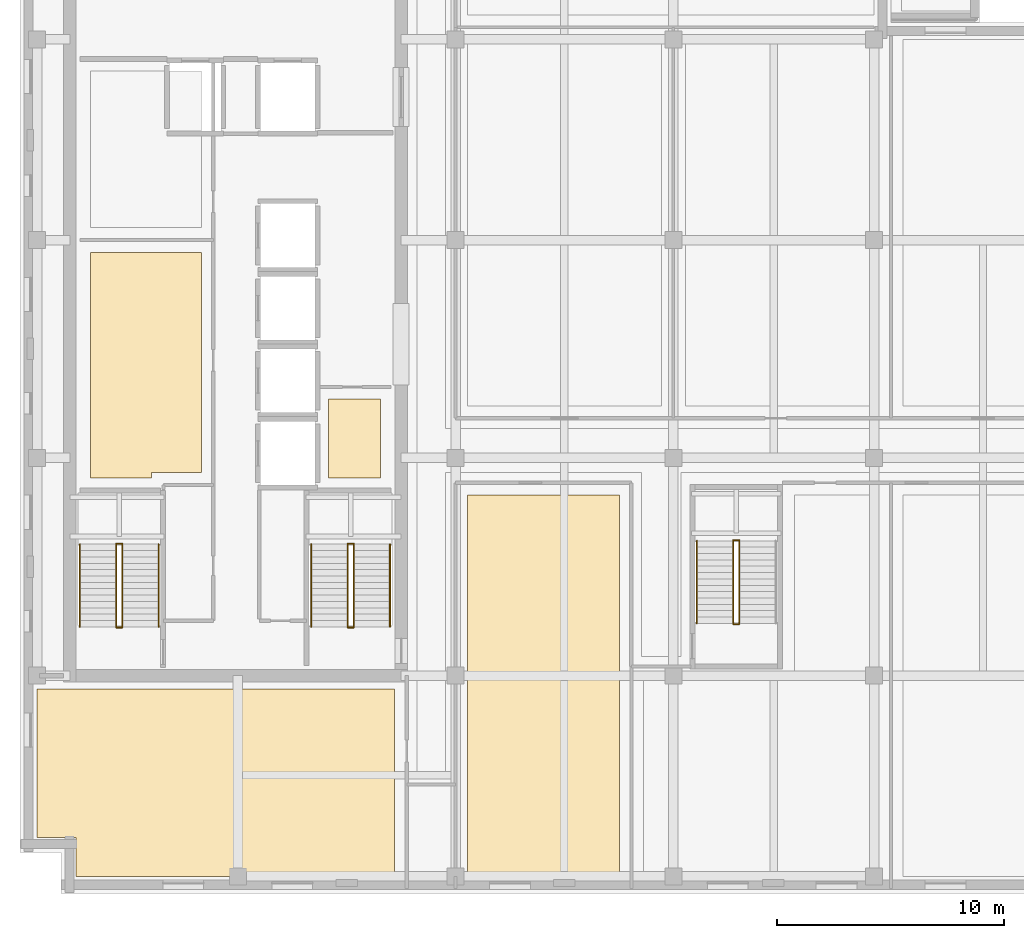
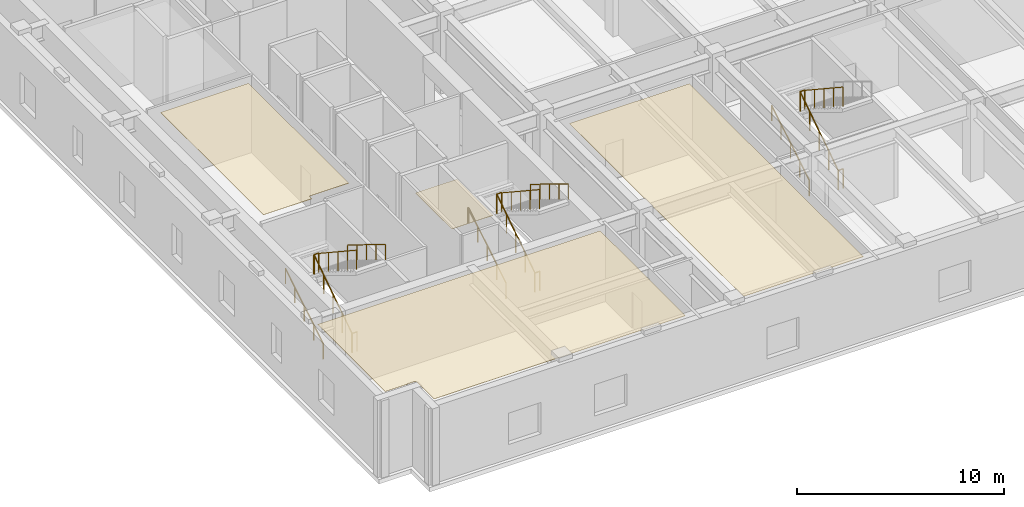
# One storey, part 7 of 11: 17 railings, 4 coverings.
"""IFC4 building model written with IfcOpenShell, lengths in metres."""

from ifc_helpers import new_model, si_unit, direction, frame, origin, origin_2d, place, context, subcontext, project, spatial, polyline, circle, outline, extrude, material, layer, layer_set, type_object, element, save


model = new_model("IFC4")

# Units and contexts
model_context = context("Model", 3, precision=1e-05, world=origin(), true_north=direction((0.0, 1.0)))
body_context = subcontext(model_context, "Body", "Model", "MODEL_VIEW")
ifc_project = project(units=[si_unit("LENGTHUNIT", "METRE"), si_unit("AREAUNIT", "SQUARE_METRE"), si_unit("VOLUMEUNIT", "CUBIC_METRE"), si_unit("PLANEANGLEUNIT", "RADIAN"), si_unit("MASSUNIT", "GRAM", prefix="KILO")], contexts=[model_context])

# Site, building, storey
site_placement = place(None, origin())
site = spatial("IfcSite", under=ifc_project, at=site_placement, CompositionType="ELEMENT")
building_placement = place(site_placement, origin())
building = spatial("IfcBuilding", under=site, at=building_placement, Name="Norrvale University Quadrangle", CompositionType="ELEMENT")
storey_placement = place(building_placement, frame((0.0, 0.0, 261.0)))
storey = spatial("IfcBuildingStorey", under=building, at=storey_placement, Name="L66", CompositionType="ELEMENT", Elevation=261.0)

# Coverings
ifc_material_1 = material(Name="Perforated Acoustic Mineral Ceiling")
ifc_layer_1 = layer(ifc_material_1, 0.02490234375, Name="Perforated Acoustic Mineral Ceiling")
ifc_layer_set_1 = layer_set([ifc_layer_1], Name="Perforated Acoustic Mineral Ceiling")
covering_type_1 = type_object("IfcCoveringType", Name="Covering Acoustic Ceiling 25", PredefinedType="CEILING", material=ifc_layer_set_1)
covering_1_placement = place(storey_placement, frame((0.0, 0.0, 4.514892578125)))
element("IfcCovering", 1, at=covering_1_placement, inside=storey, type_object=covering_type_1, Name="Acoustic Ceiling RM-L66-REC2", PredefinedType="CEILING", context=body_context, shape_type="SweptSolid", body=[
    extrude(outline(polyline([(3.10009765625, 18.300048828125), (3.10009765625, 28.25), (8.0, 28.25), (8.0, 18.550048828125), (5.800048828125, 18.550048828125), (5.800048828125, 18.300048828125), (3.10009765625, 18.300048828125)])), origin(), (0.0, 0.0, 1.0), 0.025146484375),
])
covering_2_placement = place(storey_placement, frame((0.0, 0.0, 4.514892578125)))
element("IfcCovering", 2, at=covering_2_placement, inside=storey, type_object=covering_type_1, Name="Acoustic Ceiling RM-L66-SW1", PredefinedType="CEILING", context=body_context, shape_type="SweptSolid", body=[
    extrude(outline(polyline([(0.75, 9.0), (16.5, 9.0), (16.5, 0.75), (2.469970703125, 0.75), (2.469970703125, 2.469970703125), (0.75, 2.469970703125), (0.75, 9.0)])), origin(), (0.0, 0.0, 1.0), 0.025146484375),
])
covering_3_placement = place(storey_placement, frame((0.0, 0.0, 4.514892578125)))
element("IfcCovering", 3, at=covering_3_placement, inside=storey, type_object=covering_type_1, Name="Acoustic Ceiling RM-L66-SE1", PredefinedType="CEILING", context=body_context, shape_type="SweptSolid", body=[
    extrude(outline(polyline([(19.72998046875, 17.570068359375), (26.419921875, 17.570068359375), (26.419921875, 0.75), (19.72998046875, 0.75), (19.72998046875, 17.570068359375)])), origin(), (0.0, 0.0, 1.0), 0.025146484375),
])
ifc_material_2 = material(Name="Polished Terrazzo Flooring")
ifc_layer_2 = layer(ifc_material_2, 0.02490234375, Name="Polished Terrazzo Flooring")
ifc_layer_set_2 = layer_set([ifc_layer_2], Name="Polished Terrazzo Flooring")
covering_type_2 = type_object("IfcCoveringType", Name="Covering Terrazzo Floor 30", PredefinedType="FLOORING", material=ifc_layer_set_2)
covering_4_placement = place(storey_placement, origin())
element("IfcCovering", 4, at=covering_4_placement, inside=storey, type_object=covering_type_2, Name="Terrazzo Flooring RM-L66-JAN", PredefinedType="FLOORING", context=body_context, shape_type="SweptSolid", body=[
    extrude(outline(polyline([(13.60009765625, 18.300048828125), (13.60009765625, 21.800048828125), (15.89990234375, 21.800048828125), (15.89990234375, 18.300048828125), (13.60009765625, 18.300048828125)])), origin(), (0.0, 0.0, 1.0), 0.02490234375),
])

# Railings
ifc_material_3 = material(Name="Steel 350W Painted Balustrade", Category="steel")
railing_type_1 = type_object("IfcRailingType", Name="Railing Stair Guard 1100", PredefinedType="GUARDRAIL", material=ifc_material_3)
for number, where, name in (
    (5, (4.239990234375, 11.719970703125, 0.0), "Stair Floor Well Guard ST-01 L66"),
    (6, (4.239990234375, 15.419921875, 2.39990234375), "Stair Mid-Landing Slot Guard ST-01 L66"),
):
    element("IfcRailing", number, at=place(storey_placement, frame(where)), inside=storey, type_object=railing_type_1, Name=name, PredefinedType="GUARDRAIL", context=body_context, shape_type="SweptSolid", body=[
        extrude(circle(Radius=0.02392578125, at=origin_2d()), frame((0.0, 0.0, 1.1259765625), z_axis=(1.0, 0.0, 0.0), x_axis=(0.0, 1.0, 0.0)), (0.0, 0.0, 1.0), 0.27001953125),
        extrude(circle(Radius=0.02099609375, at=origin_2d()), origin(), (0.0, 0.0, 1.0), 1.101806640625),
        extrude(circle(Radius=0.02099609375, at=origin_2d()), frame((0.27001953125, 0.0, 0.0)), (0.0, 0.0, 1.0), 1.101806640625),
    ])
railing_1_placement = place(storey_placement, frame((4.239990234375, 11.75, 0.0)))
element("IfcRailing", 7, at=railing_1_placement, inside=storey, type_object=railing_type_1, Name="Stair Lower Flight Inner Guard ST-01 L66", PredefinedType="GUARDRAIL", context=body_context, shape_type="SweptSolid", body=[
    extrude(circle(Radius=0.02392578125, at=origin_2d()), frame((0.0, 0.0, 1.1259765625), z_axis=(0.0, 0.834865213223, 0.550454426587), x_axis=(-1.0, 0.0, 0.0)), (0.0, 0.0, 1.0), 4.35986328125),
    extrude(circle(Radius=0.02099609375, at=origin_2d()), origin(), (0.0, 0.0, 1.0), 1.101806640625),
    extrude(circle(Radius=0.02099609375, at=origin_2d()), frame((0.0, 0.909912109375, 0.60009765625)), (0.0, 0.0, 1.0), 1.101806640625),
    extrude(circle(Radius=0.02099609375, at=origin_2d()), frame((0.0, 1.81982421875, 1.199951171875)), (0.0, 0.0, 1.0), 1.101806640625),
    extrude(circle(Radius=0.02099609375, at=origin_2d()), frame((0.0, 2.72998046875, 1.7998046875)), (0.0, 0.0, 1.0), 1.101806640625),
    extrude(circle(Radius=0.02099609375, at=origin_2d()), frame((0.0, 3.639892578125, 2.39990234375)), (0.0, 0.0, 1.0), 1.101806640625),
])
railing_2_placement = place(storey_placement, frame((4.510009765625, 15.389892578125, 2.39990234375)))
element("IfcRailing", 8, at=railing_2_placement, inside=storey, type_object=railing_type_1, Name="Stair Upper Flight Inner Guard ST-01 L66", PredefinedType="GUARDRAIL", context=body_context, shape_type="SweptSolid", body=[
    extrude(circle(Radius=0.02392578125, at=origin_2d()), frame((0.0, 0.0, 1.1259765625), z_axis=(0.0, -0.834839479206, 0.550493454965), x_axis=(1.0, 0.0, 0.0)), (0.0, 0.0, 1.0), 4.360107421875),
    extrude(circle(Radius=0.02099609375, at=origin_2d()), origin(), (0.0, 0.0, 1.0), 1.101806640625),
    extrude(circle(Radius=0.02099609375, at=origin_2d()), frame((0.0, -0.909912109375, 0.60009765625)), (0.0, 0.0, 1.0), 1.101806640625),
    extrude(circle(Radius=0.02099609375, at=origin_2d()), frame((0.0, -1.81982421875, 1.2001953125)), (0.0, 0.0, 1.0), 1.101806640625),
    extrude(circle(Radius=0.02099609375, at=origin_2d()), frame((0.0, -2.72998046875, 1.800048828125)), (0.0, 0.0, 1.0), 1.101806640625),
    extrude(circle(Radius=0.02099609375, at=origin_2d()), frame((0.0, -3.639892578125, 2.400146484375)), (0.0, 0.0, 1.0), 1.101806640625),
])
for number, where, name in (
    (9, (14.43994140625, 11.719970703125, 0.0), "Stair Floor Well Guard ST-03 L66"),
    (10, (14.43994140625, 15.419921875, 2.39990234375), "Stair Mid-Landing Slot Guard ST-03 L66"),
):
    element("IfcRailing", number, at=place(storey_placement, frame(where)), inside=storey, type_object=railing_type_1, Name=name, PredefinedType="GUARDRAIL", context=body_context, shape_type="SweptSolid", body=[
        extrude(circle(Radius=0.02392578125, at=origin_2d()), frame((0.0, 0.0, 1.1259765625), z_axis=(1.0, 0.0, 0.0), x_axis=(0.0, 1.0, 0.0)), (0.0, 0.0, 1.0), 0.27001953125),
        extrude(circle(Radius=0.02099609375, at=origin_2d()), origin(), (0.0, 0.0, 1.0), 1.101806640625),
        extrude(circle(Radius=0.02099609375, at=origin_2d()), frame((0.27001953125, 0.0, 0.0)), (0.0, 0.0, 1.0), 1.101806640625),
    ])
railing_3_placement = place(storey_placement, frame((14.43994140625, 11.75, 0.0)))
element("IfcRailing", 11, at=railing_3_placement, inside=storey, type_object=railing_type_1, Name="Stair Lower Flight Inner Guard ST-03 L66", PredefinedType="GUARDRAIL", context=body_context, shape_type="SweptSolid", body=[
    extrude(circle(Radius=0.02392578125, at=origin_2d()), frame((0.0, 0.0, 1.1259765625), z_axis=(0.0, 0.834865213223, 0.550454426587), x_axis=(-1.0, 0.0, 0.0)), (0.0, 0.0, 1.0), 4.35986328125),
    extrude(circle(Radius=0.02099609375, at=origin_2d()), origin(), (0.0, 0.0, 1.0), 1.101806640625),
    extrude(circle(Radius=0.02099609375, at=origin_2d()), frame((0.0, 0.909912109375, 0.60009765625)), (0.0, 0.0, 1.0), 1.101806640625),
    extrude(circle(Radius=0.02099609375, at=origin_2d()), frame((0.0, 1.81982421875, 1.199951171875)), (0.0, 0.0, 1.0), 1.101806640625),
    extrude(circle(Radius=0.02099609375, at=origin_2d()), frame((0.0, 2.72998046875, 1.7998046875)), (0.0, 0.0, 1.0), 1.101806640625),
    extrude(circle(Radius=0.02099609375, at=origin_2d()), frame((0.0, 3.639892578125, 2.39990234375)), (0.0, 0.0, 1.0), 1.101806640625),
])
railing_4_placement = place(storey_placement, frame((14.7099609375, 15.389892578125, 2.39990234375)))
element("IfcRailing", 12, at=railing_4_placement, inside=storey, type_object=railing_type_1, Name="Stair Upper Flight Inner Guard ST-03 L66", PredefinedType="GUARDRAIL", context=body_context, shape_type="SweptSolid", body=[
    extrude(circle(Radius=0.02392578125, at=origin_2d()), frame((0.0, 0.0, 1.1259765625), z_axis=(0.0, -0.834839479206, 0.550493454965), x_axis=(1.0, 0.0, 0.0)), (0.0, 0.0, 1.0), 4.360107421875),
    extrude(circle(Radius=0.02099609375, at=origin_2d()), origin(), (0.0, 0.0, 1.0), 1.101806640625),
    extrude(circle(Radius=0.02099609375, at=origin_2d()), frame((0.0, -0.909912109375, 0.60009765625)), (0.0, 0.0, 1.0), 1.101806640625),
    extrude(circle(Radius=0.02099609375, at=origin_2d()), frame((0.0, -1.81982421875, 1.2001953125)), (0.0, 0.0, 1.0), 1.101806640625),
    extrude(circle(Radius=0.02099609375, at=origin_2d()), frame((0.0, -2.72998046875, 1.800048828125)), (0.0, 0.0, 1.0), 1.101806640625),
    extrude(circle(Radius=0.02099609375, at=origin_2d()), frame((0.0, -3.639892578125, 2.400146484375)), (0.0, 0.0, 1.0), 1.101806640625),
])
for number, where, name in (
    (13, (31.43994140625, 11.8701171875, 0.0), "Stair Floor Well Guard ST-04 L66"),
    (14, (31.43994140625, 15.570068359375, 2.39990234375), "Stair Mid-Landing Slot Guard ST-04 L66"),
):
    element("IfcRailing", number, at=place(storey_placement, frame(where)), inside=storey, type_object=railing_type_1, Name=name, PredefinedType="GUARDRAIL", context=body_context, shape_type="SweptSolid", body=[
        extrude(circle(Radius=0.02392578125, at=origin_2d()), frame((0.0, 0.0, 1.1259765625), z_axis=(1.0, 0.0, 0.0), x_axis=(0.0, 1.0, 0.0)), (0.0, 0.0, 1.0), 0.27001953125),
        extrude(circle(Radius=0.02099609375, at=origin_2d()), origin(), (0.0, 0.0, 1.0), 1.101806640625),
        extrude(circle(Radius=0.02099609375, at=origin_2d()), frame((0.27001953125, 0.0, 0.0)), (0.0, 0.0, 1.0), 1.101806640625),
    ])
railing_5_placement = place(storey_placement, frame((31.43994140625, 11.89990234375, 0.0)))
element("IfcRailing", 15, at=railing_5_placement, inside=storey, type_object=railing_type_1, Name="Stair Lower Flight Inner Guard ST-04 L66", PredefinedType="GUARDRAIL", context=body_context, shape_type="SweptSolid", body=[
    extrude(circle(Radius=0.02392578125, at=origin_2d()), frame((0.0, 0.0, 1.1259765625), z_axis=(0.0, 0.83488217925, 0.55042869363), x_axis=(-1.0, 0.0, 0.0)), (0.0, 0.0, 1.0), 4.360107421875),
    extrude(circle(Radius=0.02099609375, at=origin_2d()), origin(), (0.0, 0.0, 1.0), 1.101806640625),
    extrude(circle(Radius=0.02099609375, at=origin_2d()), frame((0.0, 0.91015625, 0.60009765625)), (0.0, 0.0, 1.0), 1.101806640625),
    extrude(circle(Radius=0.02099609375, at=origin_2d()), frame((0.0, 1.820068359375, 1.199951171875)), (0.0, 0.0, 1.0), 1.101806640625),
    extrude(circle(Radius=0.02099609375, at=origin_2d()), frame((0.0, 2.72998046875, 1.7998046875)), (0.0, 0.0, 1.0), 1.101806640625),
    extrude(circle(Radius=0.02099609375, at=origin_2d()), frame((0.0, 3.64013671875, 2.39990234375)), (0.0, 0.0, 1.0), 1.101806640625),
])
railing_6_placement = place(storey_placement, frame((31.7099609375, 15.5400390625, 2.39990234375)))
element("IfcRailing", 16, at=railing_6_placement, inside=storey, type_object=railing_type_1, Name="Stair Upper Flight Inner Guard ST-04 L66", PredefinedType="GUARDRAIL", context=body_context, shape_type="SweptSolid", body=[
    extrude(circle(Radius=0.02392578125, at=origin_2d()), frame((0.0, 0.0, 1.1259765625), z_axis=(0.0, -0.834856447115, 0.55046772177), x_axis=(1.0, 0.0, 0.0)), (0.0, 0.0, 1.0), 4.360107421875),
    extrude(circle(Radius=0.02099609375, at=origin_2d()), origin(), (0.0, 0.0, 1.0), 1.101806640625),
    extrude(circle(Radius=0.02099609375, at=origin_2d()), frame((0.0, -0.91015625, 0.60009765625)), (0.0, 0.0, 1.0), 1.101806640625),
    extrude(circle(Radius=0.02099609375, at=origin_2d()), frame((0.0, -1.820068359375, 1.2001953125)), (0.0, 0.0, 1.0), 1.101806640625),
    extrude(circle(Radius=0.02099609375, at=origin_2d()), frame((0.0, -2.72998046875, 1.800048828125)), (0.0, 0.0, 1.0), 1.101806640625),
    extrude(circle(Radius=0.02099609375, at=origin_2d()), frame((0.0, -3.64013671875, 2.400146484375)), (0.0, 0.0, 1.0), 1.101806640625),
])
ifc_material_4 = material(Name="Stainless Steel 316L Handrail", Category="steel")
railing_type_2 = type_object("IfcRailingType", Name="Railing Stair Handrail 920", PredefinedType="HANDRAIL", material=ifc_material_4)
railing_7_placement = place(storey_placement, frame((2.639892578125, 11.75, 0.17138671875)))
element("IfcRailing", 17, at=railing_7_placement, inside=storey, type_object=railing_type_2, Name="Stair Lower Flight Handrail ST-01 L66", PredefinedType="HANDRAIL", context=body_context, shape_type="SweptSolid", body=[
    extrude(circle(Radius=0.02392578125, at=origin_2d()), frame((0.0, 0.0, 0.89599609375), z_axis=(0.0, 0.852850264322, 0.5221555579), x_axis=(-1.0, 0.0, 0.0)), (0.0, 0.0, 1.0), 4.267822265625),
    extrude(circle(Radius=0.02099609375, at=origin_2d()), origin(), (0.0, 0.0, 1.0), 0.871826171875),
    extrude(circle(Radius=0.02099609375, at=origin_2d()), frame((0.0, 0.909912109375, 0.55712890625)), (0.0, 0.0, 1.0), 0.871826171875),
    extrude(circle(Radius=0.02099609375, at=origin_2d()), frame((0.0, 1.81982421875, 1.1142578125)), (0.0, 0.0, 1.0), 0.871826171875),
    extrude(circle(Radius=0.02099609375, at=origin_2d()), frame((0.0, 2.72998046875, 1.67138671875)), (0.0, 0.0, 1.0), 0.871826171875),
    extrude(circle(Radius=0.02099609375, at=origin_2d()), frame((0.0, 3.639892578125, 2.228515625)), (0.0, 0.0, 1.0), 0.871826171875),
])
railing_8_placement = place(storey_placement, frame((6.110107421875, 15.389892578125, 2.5712890625)))
element("IfcRailing", 18, at=railing_8_placement, inside=storey, type_object=railing_type_2, Name="Stair Upper Flight Handrail ST-01 L66", PredefinedType="HANDRAIL", context=body_context, shape_type="SweptSolid", body=[
    extrude(circle(Radius=0.02392578125, at=origin_2d()), frame((0.0, 0.0, 0.89599609375), z_axis=(0.0, -0.852824790078, 0.522197163366), x_axis=(1.0, 0.0, 0.0)), (0.0, 0.0, 1.0), 4.26806640625),
    extrude(circle(Radius=0.02099609375, at=origin_2d()), origin(), (0.0, 0.0, 1.0), 0.871826171875),
    extrude(circle(Radius=0.02099609375, at=origin_2d()), frame((0.0, -0.909912109375, 0.55712890625)), (0.0, 0.0, 1.0), 0.871826171875),
    extrude(circle(Radius=0.02099609375, at=origin_2d()), frame((0.0, -1.81982421875, 1.1142578125)), (0.0, 0.0, 1.0), 0.871826171875),
    extrude(circle(Radius=0.02099609375, at=origin_2d()), frame((0.0, -2.72998046875, 1.671630859375)), (0.0, 0.0, 1.0), 0.871826171875),
    extrude(circle(Radius=0.02099609375, at=origin_2d()), frame((0.0, -3.639892578125, 2.228759765625)), (0.0, 0.0, 1.0), 0.871826171875),
])
railing_9_placement = place(storey_placement, frame((12.840087890625, 11.75, 0.17138671875)))
element("IfcRailing", 19, at=railing_9_placement, inside=storey, type_object=railing_type_2, Name="Stair Lower Flight Handrail ST-03 L66", PredefinedType="HANDRAIL", context=body_context, shape_type="SweptSolid", body=[
    extrude(circle(Radius=0.02392578125, at=origin_2d()), frame((0.0, 0.0, 0.89599609375), z_axis=(0.0, 0.852850264322, 0.5221555579), x_axis=(-1.0, 0.0, 0.0)), (0.0, 0.0, 1.0), 4.267822265625),
    extrude(circle(Radius=0.02099609375, at=origin_2d()), origin(), (0.0, 0.0, 1.0), 0.871826171875),
    extrude(circle(Radius=0.02099609375, at=origin_2d()), frame((0.0, 0.909912109375, 0.55712890625)), (0.0, 0.0, 1.0), 0.871826171875),
    extrude(circle(Radius=0.02099609375, at=origin_2d()), frame((0.0, 1.81982421875, 1.1142578125)), (0.0, 0.0, 1.0), 0.871826171875),
    extrude(circle(Radius=0.02099609375, at=origin_2d()), frame((0.0, 2.72998046875, 1.67138671875)), (0.0, 0.0, 1.0), 0.871826171875),
    extrude(circle(Radius=0.02099609375, at=origin_2d()), frame((0.0, 3.639892578125, 2.228515625)), (0.0, 0.0, 1.0), 0.871826171875),
])
railing_10_placement = place(storey_placement, frame((16.31005859375, 15.389892578125, 2.5712890625)))
element("IfcRailing", 20, at=railing_10_placement, inside=storey, type_object=railing_type_2, Name="Stair Upper Flight Handrail ST-03 L66", PredefinedType="HANDRAIL", context=body_context, shape_type="SweptSolid", body=[
    extrude(circle(Radius=0.02392578125, at=origin_2d()), frame((0.0, 0.0, 0.89599609375), z_axis=(0.0, -0.852824790078, 0.522197163366), x_axis=(1.0, 0.0, 0.0)), (0.0, 0.0, 1.0), 4.26806640625),
    extrude(circle(Radius=0.02099609375, at=origin_2d()), origin(), (0.0, 0.0, 1.0), 0.871826171875),
    extrude(circle(Radius=0.02099609375, at=origin_2d()), frame((0.0, -0.909912109375, 0.55712890625)), (0.0, 0.0, 1.0), 0.871826171875),
    extrude(circle(Radius=0.02099609375, at=origin_2d()), frame((0.0, -1.81982421875, 1.1142578125)), (0.0, 0.0, 1.0), 0.871826171875),
    extrude(circle(Radius=0.02099609375, at=origin_2d()), frame((0.0, -2.72998046875, 1.671630859375)), (0.0, 0.0, 1.0), 0.871826171875),
    extrude(circle(Radius=0.02099609375, at=origin_2d()), frame((0.0, -3.639892578125, 2.228759765625)), (0.0, 0.0, 1.0), 0.871826171875),
])
railing_11_placement = place(storey_placement, frame((29.840087890625, 11.89990234375, 0.17138671875)))
element("IfcRailing", 21, at=railing_11_placement, inside=storey, type_object=railing_type_2, Name="Stair Lower Flight Handrail ST-04 L66", PredefinedType="HANDRAIL", context=body_context, shape_type="SweptSolid", body=[
    extrude(circle(Radius=0.02392578125, at=origin_2d()), frame((0.0, 0.0, 0.89599609375), z_axis=(0.0, 0.852865859571, 0.52213008492), x_axis=(-1.0, 0.0, 0.0)), (0.0, 0.0, 1.0), 4.26806640625),
    extrude(circle(Radius=0.02099609375, at=origin_2d()), origin(), (0.0, 0.0, 1.0), 0.871826171875),
    extrude(circle(Radius=0.02099609375, at=origin_2d()), frame((0.0, 0.91015625, 0.55712890625)), (0.0, 0.0, 1.0), 0.871826171875),
    extrude(circle(Radius=0.02099609375, at=origin_2d()), frame((0.0, 1.820068359375, 1.1142578125)), (0.0, 0.0, 1.0), 0.871826171875),
    extrude(circle(Radius=0.02099609375, at=origin_2d()), frame((0.0, 2.72998046875, 1.67138671875)), (0.0, 0.0, 1.0), 0.871826171875),
    extrude(circle(Radius=0.02099609375, at=origin_2d()), frame((0.0, 3.64013671875, 2.228515625)), (0.0, 0.0, 1.0), 0.871826171875),
])

save(model, "model.ifc")
